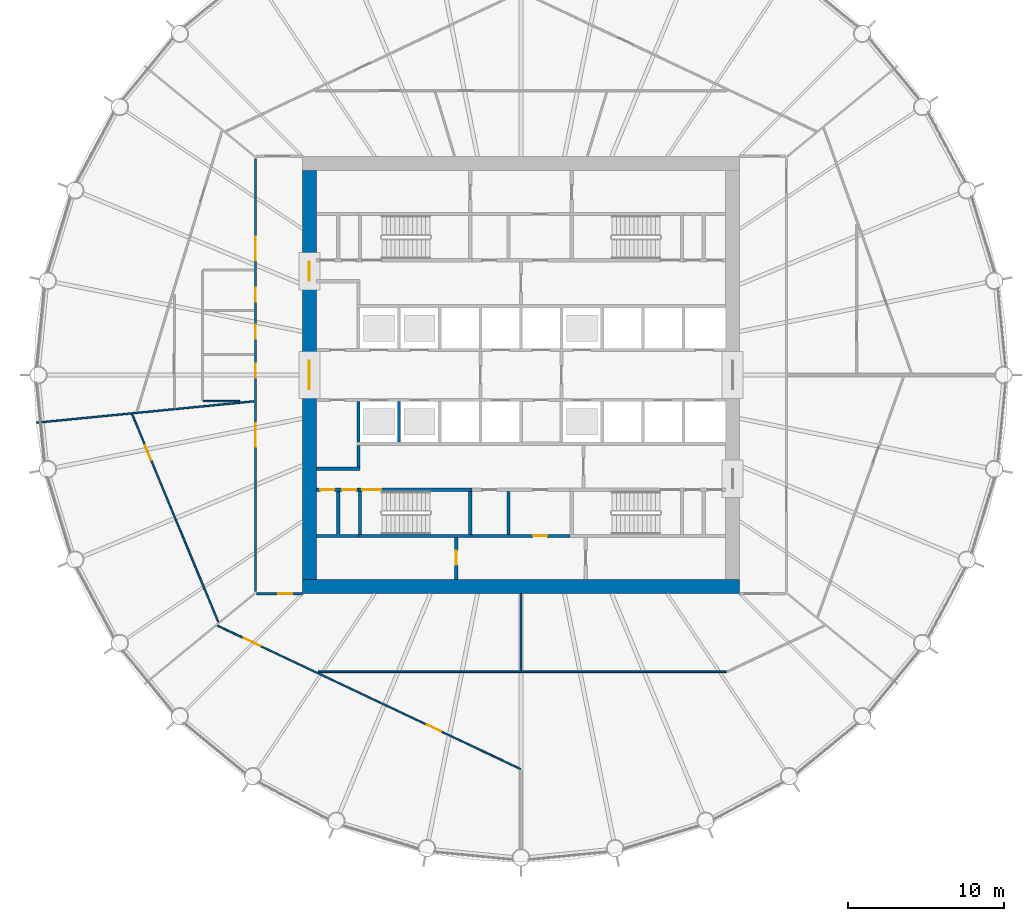
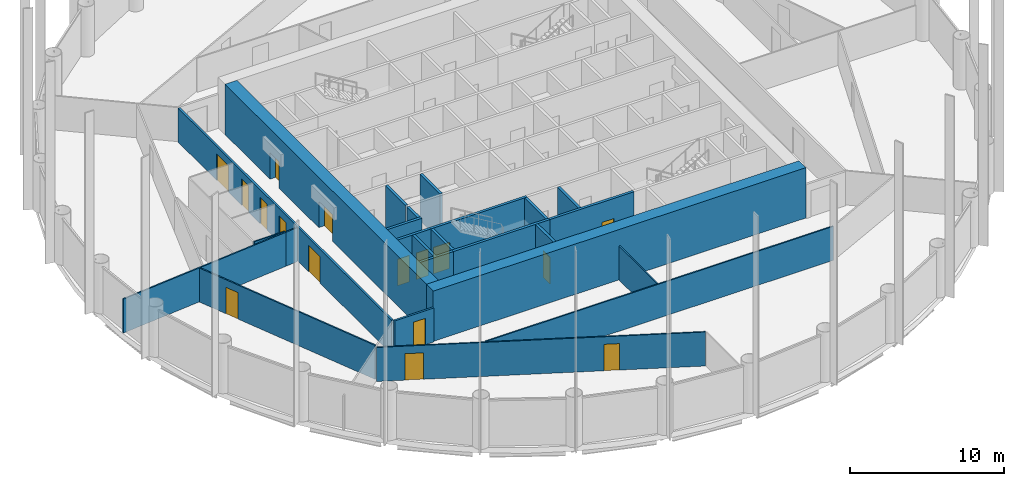
# One storey, part 4 of 10: 24 walls, 16 doors, 16 openings.
"""IFC4 building model written with IfcOpenShell, lengths in metres."""

from ifc_helpers import new_model, si_unit, direction, frame, frame_2d, origin, place, context, subcontext, project, spatial, polyline, rectangle, outline, extrude, material, layer, layer_set, type_object, element, fill, save


model = new_model("IFC4")

# Units and contexts
model_context = context("Model", 3, precision=1e-05, world=origin(), true_north=direction((0.0, 1.0)))
body_context = subcontext(model_context, "Body", "Model", "MODEL_VIEW")
ifc_project = project(units=[si_unit("LENGTHUNIT", "METRE"), si_unit("AREAUNIT", "SQUARE_METRE"), si_unit("VOLUMEUNIT", "CUBIC_METRE"), si_unit("PLANEANGLEUNIT", "RADIAN"), si_unit("MASSUNIT", "GRAM", prefix="KILO")], contexts=[model_context])

# Site, building, storey
site_placement = place(None, origin())
site = spatial("IfcSite", under=ifc_project, at=site_placement, CompositionType="ELEMENT")
building_placement = place(site_placement, origin())
building = spatial("IfcBuilding", under=site, at=building_placement, Name="Corvane Civic Tower", CompositionType="ELEMENT")
storey_placement = place(building_placement, frame((0.0, 0.0, 144.0)))
storey = spatial("IfcBuildingStorey", under=building, at=storey_placement, Name="L33", CompositionType="ELEMENT", Elevation=144.0)

# Wall
ifc_material_1 = material(Name="Concrete C60/75", Category="concrete")
ifc_layer_1 = layer(ifc_material_1, 0.89990234375)
ifc_layer_set_1 = layer_set([ifc_layer_1], Name="Concrete C60/75")
wall_type_1 = type_object("IfcWallType", Name="CORE WALL 900 C60/75", PredefinedType="SHEAR", material=ifc_layer_set_1)
wall_1_placement = place(storey_placement, frame((-14.0, -13.550048828125, 0.0), z_axis=(0.0, 0.0, 1.0), x_axis=(1.0, 0.0, 0.0)))
element("IfcWall", 1, at=wall_1_placement, inside=storey, type_object=wall_type_1, Name="W-L33-core-S", PredefinedType="SHEAR", context=body_context, shape_type="SweptSolid", body=[
    extrude(rectangle(XDim=28.0, YDim=0.89990234375, at=frame_2d((14.0, 0.0))), origin(), (0.0, 0.0, 1.0), 4.0),
])

# Wall, openings, doors
wall_2_placement = place(storey_placement, frame((-13.550048828125, -13.10009765625, 0.0), z_axis=(0.0, 0.0, 1.0), x_axis=(0.0, 1.0, 0.0)))
wall_2 = element("IfcWall", 2, at=wall_2_placement, inside=storey, type_object=wall_type_1, Name="W-L33-core-W", PredefinedType="SHEAR", context=body_context, shape_type="SweptSolid", body=[
    extrude(rectangle(XDim=26.2001953125, YDim=0.89990234375, at=frame_2d((13.10009765625, 0.0))), origin(), (0.0, 0.0, 1.0), 4.0),
])
opening_1_placement = place(wall_2_placement, frame((12.199951171875, 0.0, 0.0)))
opening_1 = element("IfcOpeningElement", 3, at=opening_1_placement, cuts=wall_2, Name="Opening L33.C30", PredefinedType="OPENING", context=body_context, shape_type="SweptSolid", body=[
    extrude(rectangle(XDim=1.800048828125, YDim=2.10009765625, at=frame_2d((0.89990234375, 1.050048828125))), frame((0.0, 0.4599609375, 0.0), z_axis=(0.0, -1.0, 0.0), x_axis=(1.0, 0.0, 0.0)), (0.0, 0.0, 1.0), 0.919921875),
])
opening_2_placement = place(wall_2_placement, frame((19.14990234375, 0.0, 0.0)))
opening_2 = element("IfcOpeningElement", 4, at=opening_2_placement, cuts=wall_2, Name="Opening L33.C32", PredefinedType="OPENING", context=body_context, shape_type="SweptSolid", body=[
    extrude(rectangle(XDim=1.199951171875, YDim=2.10009765625, at=frame_2d((0.60009765625, 1.050048828125))), frame((0.0, 0.4599609375, 0.0), z_axis=(0.0, -1.0, 0.0), x_axis=(1.0, 0.0, 0.0)), (0.0, 0.0, 1.0), 0.919921875),
])
ifc_material_2 = material(Name="Steel fire door leaf", Category="steel")
door_type_1 = type_object("IfcDoorType", Name="CR-DOOR-CORE-1800", OperationType="DOUBLE_DOOR_SINGLE_SWING", PredefinedType="DOOR", material=ifc_material_2)
door_1_placement = place(opening_1_placement, origin())
door_1 = element("IfcDoor", 5, at=door_1_placement, inside=storey, type_object=door_type_1, Name="L33 door", OperationType="DOUBLE_DOOR_SINGLE_SWING", OverallHeight=2.10009765625, OverallWidth=1.800048828125, PredefinedType="DOOR", context=body_context, shape_type="SweptSolid", body=[
    extrude(rectangle(XDim=1.800048828125, YDim=2.10009765625, at=frame_2d((0.89990234375, 1.050048828125))), frame((0.0, 0.02490234375, 0.0), z_axis=(0.0, -1.0, 0.0), x_axis=(1.0, 0.0, 0.0)), (0.0, 0.0, 1.0), 0.050048828125),
])
fill(opening_1, door_1)
door_2_placement = place(opening_2_placement, origin())
door_2 = element("IfcDoor", 6, at=door_2_placement, inside=storey, type_object=door_type_1, Name="L33 door", OperationType="DOUBLE_DOOR_SINGLE_SWING", OverallHeight=2.10009765625, OverallWidth=1.199951171875, PredefinedType="DOOR", context=body_context, shape_type="SweptSolid", body=[
    extrude(rectangle(XDim=1.199951171875, YDim=2.10009765625, at=frame_2d((0.60009765625, 1.050048828125))), frame((0.0, 0.02490234375, 0.0), z_axis=(0.0, -1.0, 0.0), x_axis=(1.0, 0.0, 0.0)), (0.0, 0.0, 1.0), 0.050048828125),
])
fill(opening_2, door_2)

# Wall, opening, door
ifc_material_3 = material(Name="Concrete C30/37", Category="concrete")
ifc_layer_2 = layer(ifc_material_3, 0.199951171875)
ifc_layer_set_2 = layer_set([ifc_layer_2], Name="Concrete C30/37")
wall_type_2 = type_object("IfcWallType", Name="CR-WALL-200", PredefinedType="PARTITIONING", material=ifc_layer_set_2)
wall_3_placement = place(storey_placement, frame((-3.14990234375, -10.300048828125, 0.0), z_axis=(0.0, 0.0, 1.0), x_axis=(1.0, 0.0, 0.0)))
wall_3 = element("IfcWall", 7, at=wall_3_placement, inside=storey, type_object=wall_type_2, Name="L33 partition wall", PredefinedType="PARTITIONING", context=body_context, shape_type="SweptSolid", body=[
    extrude(rectangle(XDim=6.2998046875, YDim=0.199951171875, at=frame_2d((3.14990234375, 0.0))), origin(), (0.0, 0.0, 1.0), 3.699951171875),
])
opening_3_placement = place(wall_3_placement, frame((3.925048828125, 0.0, 0.0)))
opening_3 = element("IfcOpeningElement", 8, at=opening_3_placement, cuts=wall_3, Name="Opening L33.C12", PredefinedType="OPENING", context=body_context, shape_type="SweptSolid", body=[
    extrude(rectangle(XDim=0.89990234375, YDim=2.10009765625, at=frame_2d((0.449951171875, 1.050048828125))), frame((0.0, 0.10986328125, 0.0), z_axis=(0.0, -1.0, 0.0), x_axis=(1.0, 0.0, 0.0)), (0.0, 0.0, 1.0), 0.219970703125),
])
ifc_material_4 = material(Name="Steel fire door leaf", Category="steel")
door_type_2 = type_object("IfcDoorType", Name="CR-DOOR-900", OperationType="SINGLE_SWING_LEFT", PredefinedType="DOOR", material=ifc_material_4)
door_3_placement = place(opening_3_placement, origin())
door_3 = element("IfcDoor", 9, at=door_3_placement, inside=storey, type_object=door_type_2, Name="L33 door", OperationType="SINGLE_SWING_LEFT", OverallHeight=2.10009765625, OverallWidth=0.89990234375, PredefinedType="DOOR", context=body_context, shape_type="SweptSolid", body=[
    extrude(rectangle(XDim=0.89990234375, YDim=2.10009765625, at=frame_2d((0.449951171875, 1.050048828125))), frame((0.0, 0.02490234375, 0.0), z_axis=(0.0, -1.0, 0.0), x_axis=(1.0, 0.0, 0.0)), (0.0, 0.0, 1.0), 0.050048828125),
])
fill(opening_3, door_3)

# Wall, openings, doors
wall_4_placement = place(storey_placement, frame((-13.10009765625, -7.35009765625, 0.0), z_axis=(0.0, 0.0, 1.0), x_axis=(1.0, 0.0, 0.0)))
wall_4 = element("IfcWall", 10, at=wall_4_placement, inside=storey, type_object=wall_type_2, Name="L33 core partition wall", PredefinedType="PARTITIONING", context=body_context, shape_type="SweptSolid", body=[
    extrude(rectangle(XDim=2.7001953125, YDim=0.199951171875, at=frame_2d((1.35009765625, 0.0))), origin(), (0.0, 0.0, 1.0), 3.699951171875),
])
opening_4_placement = place(wall_4_placement, frame((0.25, 0.0, 0.0)))
opening_4 = element("IfcOpeningElement", 11, at=opening_4_placement, cuts=wall_4, Name="Opening L33.C16", PredefinedType="OPENING", context=body_context, shape_type="SweptSolid", body=[
    extrude(rectangle(XDim=0.89990234375, YDim=2.10009765625, at=frame_2d((0.449951171875, 1.050048828125))), frame((0.0, 0.10986328125, 0.0), z_axis=(0.0, -1.0, 0.0), x_axis=(1.0, 0.0, 0.0)), (0.0, 0.0, 1.0), 0.219970703125),
])
opening_5_placement = place(wall_4_placement, frame((1.64990234375, 0.0, 0.0)))
opening_5 = element("IfcOpeningElement", 12, at=opening_5_placement, cuts=wall_4, Name="Opening L33.C17", PredefinedType="OPENING", context=body_context, shape_type="SweptSolid", body=[
    extrude(rectangle(XDim=0.89990234375, YDim=2.10009765625, at=frame_2d((0.449951171875, 1.050048828125))), frame((0.0, 0.10986328125, 0.0), z_axis=(0.0, -1.0, 0.0), x_axis=(1.0, 0.0, 0.0)), (0.0, 0.0, 1.0), 0.219970703125),
])
door_4_placement = place(opening_4_placement, origin())
door_4 = element("IfcDoor", 13, at=door_4_placement, inside=storey, type_object=door_type_2, Name="L33 door", OperationType="SINGLE_SWING_LEFT", OverallHeight=2.10009765625, OverallWidth=0.89990234375, PredefinedType="DOOR", context=body_context, shape_type="SweptSolid", body=[
    extrude(rectangle(XDim=0.89990234375, YDim=2.10009765625, at=frame_2d((0.449951171875, 1.050048828125))), frame((0.0, 0.02490234375, 0.0), z_axis=(0.0, -1.0, 0.0), x_axis=(1.0, 0.0, 0.0)), (0.0, 0.0, 1.0), 0.050048828125),
])
fill(opening_4, door_4)
door_5_placement = place(opening_5_placement, origin())
door_5 = element("IfcDoor", 14, at=door_5_placement, inside=storey, type_object=door_type_2, Name="L33 door", OperationType="SINGLE_SWING_LEFT", OverallHeight=2.10009765625, OverallWidth=0.89990234375, PredefinedType="DOOR", context=body_context, shape_type="SweptSolid", body=[
    extrude(rectangle(XDim=0.89990234375, YDim=2.10009765625, at=frame_2d((0.449951171875, 1.050048828125))), frame((0.0, 0.02490234375, 0.0), z_axis=(0.0, -1.0, 0.0), x_axis=(1.0, 0.0, 0.0)), (0.0, 0.0, 1.0), 0.050048828125),
])
fill(opening_5, door_5)

# Wall, opening, door
wall_5_placement = place(storey_placement, frame((-4.14990234375, -13.10009765625, 0.0), z_axis=(0.0, 0.0, 1.0), x_axis=(0.0, 1.0, 0.0)))
wall_5 = element("IfcWall", 15, at=wall_5_placement, inside=storey, type_object=wall_type_2, Name="L33 partition wall", PredefinedType="PARTITIONING", context=body_context, shape_type="SweptSolid", body=[
    extrude(rectangle(XDim=2.7001953125, YDim=0.199951171875, at=frame_2d((1.35009765625, 0.0))), origin(), (0.0, 0.0, 1.0), 3.699951171875),
])
opening_6_placement = place(wall_5_placement, frame((0.949951171875, 0.0, 0.0)))
opening_6 = element("IfcOpeningElement", 16, at=opening_6_placement, cuts=wall_5, Name="Opening L33.C11", PredefinedType="OPENING", context=body_context, shape_type="SweptSolid", body=[
    extrude(rectangle(XDim=0.89990234375, YDim=2.10009765625, at=frame_2d((0.449951171875, 1.050048828125))), frame((0.0, 0.10986328125, 0.0), z_axis=(0.0, -1.0, 0.0), x_axis=(1.0, 0.0, 0.0)), (0.0, 0.0, 1.0), 0.219970703125),
])
door_6_placement = place(opening_6_placement, origin())
door_6 = element("IfcDoor", 17, at=door_6_placement, inside=storey, type_object=door_type_2, Name="L33 door", OperationType="SINGLE_SWING_LEFT", OverallHeight=2.10009765625, OverallWidth=0.89990234375, PredefinedType="DOOR", context=body_context, shape_type="SweptSolid", body=[
    extrude(rectangle(XDim=0.89990234375, YDim=2.10009765625, at=frame_2d((0.449951171875, 1.050048828125))), frame((0.0, 0.02490234375, 0.0), z_axis=(0.0, -1.0, 0.0), x_axis=(1.0, 0.0, 0.0)), (0.0, 0.0, 1.0), 0.050048828125),
])
fill(opening_6, door_6)

# Walls
wall_6_placement = place(storey_placement, origin())
element("IfcWall", 18, at=wall_6_placement, inside=storey, type_object=wall_type_2, Name="L33 core partition wall", PredefinedType="PARTITIONING", context=body_context, shape_type="SweptSolid", body=[
    extrude(outline(polyline([(-10.300048828125, -6.10009765625), (-13.10009765625, -6.10009765625), (-13.10009765625, -5.89990234375), (-10.300048828125, -5.89990234375), (-10.300048828125, -6.10009765625)])), origin(), (0.0, 0.0, 1.0), 3.699951171875),
])
wall_7_placement = place(storey_placement, origin())
element("IfcWall", 19, at=wall_7_placement, inside=storey, type_object=wall_type_2, Name="L33 core partition wall", PredefinedType="PARTITIONING", context=body_context, shape_type="SweptSolid", body=[
    extrude(outline(polyline([(-10.300048828125, -1.699951171875), (-10.300048828125, -4.2998046875), (-10.5, -4.2998046875), (-10.5, -1.699951171875), (-10.300048828125, -1.699951171875)])), origin(), (0.0, 0.0, 1.0), 3.699951171875),
])
wall_8_placement = place(storey_placement, origin())
element("IfcWall", 20, at=wall_8_placement, inside=storey, type_object=wall_type_2, Name="L33 core partition wall", PredefinedType="PARTITIONING", context=body_context, shape_type="SweptSolid", body=[
    extrude(outline(polyline([(-7.699951171875, -1.699951171875), (-7.699951171875, -4.2998046875), (-7.89990234375, -4.2998046875), (-7.89990234375, -1.699951171875), (-7.699951171875, -1.699951171875)])), origin(), (0.0, 0.0, 1.0), 3.699951171875),
])
wall_9_placement = place(storey_placement, origin())
element("IfcWall", 21, at=wall_9_placement, inside=storey, type_object=wall_type_2, Name="L33 core partition wall", PredefinedType="PARTITIONING", context=body_context, shape_type="SweptSolid", body=[
    extrude(outline(polyline([(-10.300048828125, -5.89990234375), (-10.5, -5.89990234375), (-10.5, -4.5), (-10.300048828125, -4.5), (-10.300048828125, -5.89990234375)])), origin(), (0.0, 0.0, 1.0), 3.699951171875),
])
wall_10_placement = place(storey_placement, origin())
element("IfcWall", 22, at=wall_10_placement, inside=storey, type_object=wall_type_2, Name="L33 core partition wall", PredefinedType="PARTITIONING", context=body_context, shape_type="SweptSolid", body=[
    extrude(outline(polyline([(-11.800048828125, -7.449951171875), (-11.60009765625, -7.449951171875), (-11.60009765625, -10.199951171875), (-10.39990234375, -10.199951171875), (-10.39990234375, -10.39990234375), (-13.10009765625, -10.39990234375), (-13.10009765625, -10.199951171875), (-11.800048828125, -10.199951171875), (-11.800048828125, -7.449951171875)])), origin(), (0.0, 0.0, 1.0), 3.699951171875),
])
wall_11_placement = place(storey_placement, origin())
element("IfcWall", 23, at=wall_11_placement, inside=storey, type_object=wall_type_2, Name="L33 core partition wall", PredefinedType="PARTITIONING", context=body_context, shape_type="SweptSolid", body=[
    extrude(outline(polyline([(-0.699951171875, -10.199951171875), (-0.89990234375, -10.199951171875), (-0.89990234375, -7.449951171875), (-0.699951171875, -7.449951171875), (-0.699951171875, -10.199951171875)])), origin(), (0.0, 0.0, 1.0), 3.699951171875),
])

# Wall, openings, doors
ifc_material_5 = material(Name="Plasterboard")
ifc_layer_3 = layer(ifc_material_5, 0.10009765625)
ifc_layer_set_3 = layer_set([ifc_layer_3], Name="Plasterboard")
wall_type_3 = type_object("IfcWallType", Name="Partition 100 plasterboard on studs", PredefinedType="PARTITIONING", material=ifc_layer_set_3)
wall_12_placement = place(storey_placement, frame((-19.44189453125, -16.0478515625, 0.0), z_axis=(0.0, 0.0, 1.0), x_axis=(0.90399254503, -0.427548217784, 0.0)))
wall_12 = element("IfcWall", 24, at=wall_12_placement, inside=storey, type_object=wall_type_3, Name="Partition L33.002", PredefinedType="PARTITIONING", context=body_context, shape_type="SweptSolid", body=[
    extrude(rectangle(XDim=21.47509765625, YDim=0.10009765625, at=frame_2d((10.737548828125, 0.0))), origin(), (0.0, 0.0, 1.0), 2.699951171875),
])
opening_7_placement = place(wall_12_placement, frame((14.845703125, 0.0, 0.0)))
opening_7 = element("IfcOpeningElement", 25, at=opening_7_placement, cuts=wall_12, Name="Opening L33.007", PredefinedType="OPENING", context=body_context, shape_type="SweptSolid", body=[
    extrude(rectangle(XDim=1.0, YDim=2.10009765625, at=frame_2d((0.5, 1.050048828125))), frame((0.0, 0.06005859375, 0.0), z_axis=(0.0, -1.0, 0.0), x_axis=(1.0, 0.0, 0.0)), (0.0, 0.0, 1.0), 0.1201171875),
])
opening_8_placement = place(wall_12_placement, frame((1.8642578125, 0.0, 0.0)))
opening_8 = element("IfcOpeningElement", 26, at=opening_8_placement, cuts=wall_12, Name="Opening L33.008", PredefinedType="OPENING", context=body_context, shape_type="SweptSolid", body=[
    extrude(rectangle(XDim=1.199951171875, YDim=2.10009765625, at=frame_2d((0.60009765625, 1.050048828125))), frame((0.0, 0.06005859375, 0.0), z_axis=(0.0, -1.0, 0.0), x_axis=(1.0, 0.0, 0.0)), (0.0, 0.0, 1.0), 0.1201171875),
])
ifc_material_6 = material(Name="Timber", Category="wood")
door_type_3 = type_object("IfcDoorType", Name="Double door 1200", OperationType="NOTDEFINED", PredefinedType="DOOR", material=ifc_material_6)
door_7_placement = place(opening_8_placement, frame((1.199951171875, 0.0, 0.0), z_axis=(0.0, 0.0, 1.0), x_axis=(-1.0, 0.0, 0.0)))
door_7 = element("IfcDoor", 27, at=door_7_placement, inside=storey, type_object=door_type_3, Name="Door L33.008", OperationType="DOUBLE_DOOR_SINGLE_SWING", OverallHeight=2.10009765625, OverallWidth=1.199951171875, PredefinedType="DOOR", context=body_context, shape_type="SweptSolid", body=[
    extrude(rectangle(XDim=1.199951171875, YDim=2.10009765625, at=frame_2d((0.60009765625, 1.050048828125))), frame((0.0, 0.02490234375, 0.0), z_axis=(0.0, -1.0, 0.0), x_axis=(1.0, 0.0, 0.0)), (0.0, 0.0, 1.0), 0.050048828125),
])
fill(opening_8, door_7)
ifc_material_7 = material(Name="Timber", Category="wood")
door_type_4 = type_object("IfcDoorType", Name="Single door 1000", OperationType="NOTDEFINED", PredefinedType="DOOR", material=ifc_material_7)
door_8_placement = place(opening_7_placement, origin())
door_8 = element("IfcDoor", 28, at=door_8_placement, inside=storey, type_object=door_type_4, Name="Door L33.007", OperationType="SINGLE_SWING_RIGHT", OverallHeight=2.10009765625, OverallWidth=1.0, PredefinedType="DOOR", context=body_context, shape_type="SweptSolid", body=[
    extrude(rectangle(XDim=1.0, YDim=2.10009765625, at=frame_2d((0.5, 1.050048828125))), frame((0.0, 0.02490234375, 0.0), z_axis=(0.0, -1.0, 0.0), x_axis=(1.0, 0.0, 0.0)), (0.0, 0.0, 1.0), 0.050048828125),
])
fill(opening_7, door_8)

# Walls
wall_13_placement = place(storey_placement, frame((-12.977294921875, -19.0, 0.0), z_axis=(0.0, 0.0, 1.0), x_axis=(1.0, 0.0, 0.0)))
element("IfcWall", 29, at=wall_13_placement, inside=storey, type_object=wall_type_3, Name="Partition L33.005", PredefinedType="PARTITIONING", context=body_context, shape_type="SweptSolid", body=[
    extrude(rectangle(XDim=26.12646484375, YDim=0.10009765625, at=frame_2d((13.063232421875, 0.0))), origin(), (0.0, 0.0, 1.0), 2.699951171875),
])
wall_14_placement = place(storey_placement, frame((0.0, -18.949951171875, 0.0), z_axis=(0.0, 0.0, 1.0), x_axis=(0.0, 1.0, 0.0)))
element("IfcWall", 30, at=wall_14_placement, inside=storey, type_object=wall_type_3, Name="Partition L33.007", PredefinedType="PARTITIONING", context=body_context, shape_type="SweptSolid", body=[
    extrude(rectangle(XDim=4.949951171875, YDim=0.10009765625, at=frame_2d((2.47509765625, 0.0))), origin(), (0.0, 0.0, 1.0), 2.699951171875),
])

# Wall, opening, door
wall_15_placement = place(storey_placement, frame((-24.896484375, -2.516845703125, 0.0), z_axis=(0.0, 0.0, 1.0), x_axis=(0.382678121932, -0.923881732147, 0.0)))
wall_15 = element("IfcWall", 31, at=wall_15_placement, inside=storey, type_object=wall_type_3, Name="Partition L33.008", PredefinedType="PARTITIONING", context=body_context, shape_type="SweptSolid", body=[
    extrude(rectangle(XDim=14.404296875, YDim=0.10009765625, at=frame_2d((7.2021484375, 0.0))), origin(), (0.0, 0.0, 1.0), 2.699951171875),
])
opening_9_placement = place(wall_15_placement, frame((2.160400390625, 0.0, 0.0)))
opening_9 = element("IfcOpeningElement", 32, at=opening_9_placement, cuts=wall_15, Name="Opening L33.016", PredefinedType="OPENING", context=body_context, shape_type="SweptSolid", body=[
    extrude(rectangle(XDim=1.0, YDim=2.10009765625, at=frame_2d((0.5, 1.050048828125))), frame((0.0, 0.06005859375, 0.0), z_axis=(0.0, -1.0, 0.0), x_axis=(1.0, 0.0, 0.0)), (0.0, 0.0, 1.0), 0.1201171875),
])
door_9_placement = place(opening_9_placement, frame((1.0, 0.0, 0.0), z_axis=(0.0, 0.0, 1.0), x_axis=(-1.0, 0.0, 0.0)))
door_9 = element("IfcDoor", 33, at=door_9_placement, inside=storey, type_object=door_type_4, Name="Door L33.016", OperationType="SINGLE_SWING_RIGHT", OverallHeight=2.10009765625, OverallWidth=1.0, PredefinedType="DOOR", context=body_context, shape_type="SweptSolid", body=[
    extrude(rectangle(XDim=1.0, YDim=2.10009765625, at=frame_2d((0.5, 1.050048828125))), frame((0.0, 0.02490234375, 0.0), z_axis=(0.0, -1.0, 0.0), x_axis=(1.0, 0.0, 0.0)), (0.0, 0.0, 1.0), 0.050048828125),
])
fill(opening_9, door_9)

# Walls
wall_16_placement = place(storey_placement, frame((-31.000244140625, -3.05322265625, 0.0), z_axis=(0.0, 0.0, 1.0), x_axis=(0.995185293796, 0.098011382053, 0.0)))
element("IfcWall", 34, at=wall_16_placement, inside=storey, type_object=wall_type_3, Name="Partition L33.014", PredefinedType="PARTITIONING", context=body_context, shape_type="SweptSolid", body=[
    extrude(rectangle(XDim=13.0400390625, YDim=0.10009765625, at=frame_2d((6.52001953125, 0.0))), origin(), (0.0, 0.0, 1.0), 2.699951171875),
])
wall_17_placement = place(storey_placement, frame((-20.35009765625, -1.67431640625, 0.0), z_axis=(0.0, 0.0, 1.0), x_axis=(1.0, 0.0, 0.0)))
element("IfcWall", 35, at=wall_17_placement, inside=storey, type_object=wall_type_3, Name="Partition L33.017", PredefinedType="PARTITIONING", context=body_context, shape_type="SweptSolid", body=[
    extrude(rectangle(XDim=2.33203125, YDim=0.10009765625, at=frame_2d((1.166015625, 0.0))), origin(), (0.0, 0.0, 1.0), 2.699951171875),
])
wall_18_placement = place(storey_placement, frame((-18.02294921875, -1.775146484375, 0.0), z_axis=(0.0, 0.0, 1.0), x_axis=(0.995192281224, 0.097940407348, 0.0)))
element("IfcWall", 36, at=wall_18_placement, inside=storey, type_object=wall_type_3, Name="Partition L33.036", PredefinedType="PARTITIONING", context=body_context, shape_type="SweptSolid", body=[
    extrude(rectangle(XDim=0.912353515625, YDim=0.10009765625, at=frame_2d((0.4560546875, 0.0))), origin(), (0.0, 0.0, 1.0), 2.699951171875),
])

# Wall, opening, door
ifc_material_8 = material(Name="Concrete C50/60", Category="concrete")
ifc_layer_4 = layer(ifc_material_8, 0.199951171875)
ifc_layer_set_4 = layer_set([ifc_layer_4], Name="Concrete C50/60")
wall_type_4 = type_object("IfcWallType", Name="ST-WALL-200", PredefinedType="SHEAR", material=ifc_layer_set_4)
wall_19_placement = place(storey_placement, frame((-10.39990234375, -7.35009765625, 0.0), z_axis=(0.0, 0.0, 1.0), x_axis=(1.0, 0.0, 0.0)))
wall_19 = element("IfcWall", 37, at=wall_19_placement, inside=storey, type_object=wall_type_4, Name="L33 stair enclosure wall", PredefinedType="SHEAR", context=body_context, shape_type="SweptSolid", body=[
    extrude(rectangle(XDim=7.25, YDim=0.199951171875, at=frame_2d((3.625, 0.0))), origin(), (0.0, 0.0, 1.0), 3.699951171875),
])
opening_10_placement = place(wall_19_placement, frame((0.25, 0.0, 0.0)))
opening_10 = element("IfcOpeningElement", 38, at=opening_10_placement, cuts=wall_19, Name="Opening L33.C25", PredefinedType="OPENING", context=body_context, shape_type="SweptSolid", body=[
    extrude(rectangle(XDim=1.199951171875, YDim=2.10009765625, at=frame_2d((0.60009765625, 1.050048828125))), frame((0.0, 0.10986328125, 0.0), z_axis=(0.0, -1.0, 0.0), x_axis=(1.0, 0.0, 0.0)), (0.0, 0.0, 1.0), 0.219970703125),
])
ifc_material_9 = material(Name="Steel fire door leaf", Category="steel")
door_type_5 = type_object("IfcDoorType", Name="ST-DOOR-1200", OperationType="SINGLE_SWING_RIGHT", PredefinedType="DOOR", material=ifc_material_9)
door_10_placement = place(opening_10_placement, origin())
door_10 = element("IfcDoor", 39, at=door_10_placement, inside=storey, type_object=door_type_5, Name="L33 stair door", OperationType="SINGLE_SWING_RIGHT", OverallHeight=2.10009765625, OverallWidth=1.199951171875, PredefinedType="DOOR", context=body_context, shape_type="SweptSolid", body=[
    extrude(rectangle(XDim=1.199951171875, YDim=2.10009765625, at=frame_2d((0.60009765625, 1.050048828125))), frame((0.0, 0.02490234375, 0.0), z_axis=(0.0, -1.0, 0.0), x_axis=(1.0, 0.0, 0.0)), (0.0, 0.0, 1.0), 0.050048828125),
])
fill(opening_10, door_10)

# Walls
wall_20_placement = place(storey_placement, origin())
element("IfcWall", 40, at=wall_20_placement, inside=storey, type_object=wall_type_4, Name="L33 stair enclosure wall", PredefinedType="SHEAR", context=body_context, shape_type="SweptSolid", body=[
    extrude(outline(polyline([(-3.14990234375, -10.199951171875), (-3.14990234375, -10.39990234375), (-10.39990234375, -10.39990234375), (-10.39990234375, -10.199951171875), (-3.14990234375, -10.199951171875)])), origin(), (0.0, 0.0, 1.0), 3.699951171875),
])
wall_21_placement = place(storey_placement, origin())
element("IfcWall", 41, at=wall_21_placement, inside=storey, type_object=wall_type_4, Name="L33 stair enclosure wall", PredefinedType="SHEAR", context=body_context, shape_type="SweptSolid", body=[
    extrude(outline(polyline([(-3.14990234375, -7.449951171875), (-3.14990234375, -10.199951171875), (-3.35009765625, -10.199951171875), (-3.35009765625, -7.449951171875), (-3.14990234375, -7.449951171875)])), origin(), (0.0, 0.0, 1.0), 3.699951171875),
])
wall_22_placement = place(storey_placement, origin())
element("IfcWall", 42, at=wall_22_placement, inside=storey, type_object=wall_type_4, Name="L33 stair enclosure wall", PredefinedType="SHEAR", context=body_context, shape_type="SweptSolid", body=[
    extrude(outline(polyline([(-10.199951171875, -7.449951171875), (-10.199951171875, -10.199951171875), (-10.39990234375, -10.199951171875), (-10.39990234375, -7.449951171875), (-10.199951171875, -7.449951171875)])), origin(), (0.0, 0.0, 1.0), 3.699951171875),
])

# Wall, opening, door
ifc_material_10 = material(Name="Plasterboard")
ifc_layer_5 = layer(ifc_material_10, 0.14990234375)
ifc_layer_set_5 = layer_set([ifc_layer_5], Name="Plasterboard")
wall_type_5 = type_object("IfcWallType", Name="Tenancy wall 150 EI 60", PredefinedType="PARTITIONING", material=ifc_layer_set_5)
wall_23_placement = place(storey_placement, frame((-16.925048828125, -14.0, 0.0), z_axis=(0.0, 0.0, 1.0), x_axis=(1.0, 0.0, 0.0)))
wall_23 = element("IfcWall", 43, at=wall_23_placement, inside=storey, type_object=wall_type_5, Name="Partition L33.010", PredefinedType="PARTITIONING", context=body_context, shape_type="SweptSolid", body=[
    extrude(rectangle(XDim=2.93505859375, YDim=0.14990234375, at=frame_2d((1.467529296875, 0.0))), origin(), (0.0, 0.0, 1.0), 2.699951171875),
])
opening_11_placement = place(wall_23_placement, frame((1.387451171875, 0.0, 0.0)))
opening_11 = element("IfcOpeningElement", 44, at=opening_11_placement, cuts=wall_23, Name="Opening L33.010", PredefinedType="OPENING", context=body_context, shape_type="SweptSolid", body=[
    extrude(rectangle(XDim=0.89990234375, YDim=2.10009765625, at=frame_2d((0.449951171875, 1.050048828125))), frame((0.0, 0.0849609375, 0.0), z_axis=(0.0, -1.0, 0.0), x_axis=(1.0, 0.0, 0.0)), (0.0, 0.0, 1.0), 0.169921875),
])
ifc_material_11 = material(Name="Steel and timber", Category="steel")
door_type_6 = type_object("IfcDoorType", Name="Fire door FD30S 900", OperationType="NOTDEFINED", PredefinedType="DOOR", material=ifc_material_11)
door_11_placement = place(opening_11_placement, frame((0.89990234375, 0.0, 0.0), z_axis=(0.0, 0.0, 1.0), x_axis=(-1.0, 0.0, 0.0)))
door_11 = element("IfcDoor", 45, at=door_11_placement, inside=storey, type_object=door_type_6, Name="Door L33.010", OperationType="SINGLE_SWING_RIGHT", OverallHeight=2.10009765625, OverallWidth=0.89990234375, PredefinedType="DOOR", context=body_context, shape_type="SweptSolid", body=[
    extrude(rectangle(XDim=0.89990234375, YDim=2.10009765625, at=frame_2d((0.449951171875, 1.050048828125))), frame((0.0, 0.02490234375, 0.0), z_axis=(0.0, -1.0, 0.0), x_axis=(1.0, 0.0, 0.0)), (0.0, 0.0, 1.0), 0.050048828125),
])
fill(opening_11, door_11)

# Wall, openings, doors
wall_24_placement = place(storey_placement, frame((-17.0, -13.87646484375, 0.0), z_axis=(0.0, 0.0, 1.0), x_axis=(0.0, 1.0, 0.0)))
wall_24 = element("IfcWall", 46, at=wall_24_placement, inside=storey, type_object=wall_type_5, Name="Partition L33.012", PredefinedType="PARTITIONING", context=body_context, shape_type="SweptSolid", body=[
    extrude(rectangle(XDim=27.7529296875, YDim=0.14990234375, at=frame_2d((13.87646484375, 0.0))), origin(), (0.0, 0.0, 1.0), 2.699951171875),
])
opening_12_placement = place(wall_24_placement, frame((9.281005859375, 0.0, 0.0)))
opening_12 = element("IfcOpeningElement", 47, at=opening_12_placement, cuts=wall_24, Name="Opening L33.017", PredefinedType="OPENING", context=body_context, shape_type="SweptSolid", body=[
    extrude(rectangle(XDim=1.5, YDim=2.10009765625, at=frame_2d((0.75, 1.050048828125))), frame((0.0, 0.0849609375, 0.0), z_axis=(0.0, -1.0, 0.0), x_axis=(1.0, 0.0, 0.0)), (0.0, 0.0, 1.0), 0.169921875),
])
opening_13_placement = place(wall_24_placement, frame((21.227783203125, 0.0, 0.0)))
opening_13 = element("IfcOpeningElement", 48, at=opening_13_placement, cuts=wall_24, Name="Opening L33.020", PredefinedType="OPENING", context=body_context, shape_type="SweptSolid", body=[
    extrude(rectangle(XDim=1.5, YDim=2.10009765625, at=frame_2d((0.75, 1.050048828125))), frame((0.0, 0.0849609375, 0.0), z_axis=(0.0, -1.0, 0.0), x_axis=(1.0, 0.0, 0.0)), (0.0, 0.0, 1.0), 0.169921875),
])
opening_14_placement = place(wall_24_placement, frame((13.698974609375, 0.0, 0.0)))
opening_14 = element("IfcOpeningElement", 49, at=opening_14_placement, cuts=wall_24, Name="Opening L33.021", PredefinedType="OPENING", context=body_context, shape_type="SweptSolid", body=[
    extrude(rectangle(XDim=0.89990234375, YDim=2.10009765625, at=frame_2d((0.449951171875, 1.050048828125))), frame((0.0, 0.0849609375, 0.0), z_axis=(0.0, -1.0, 0.0), x_axis=(1.0, 0.0, 0.0)), (0.0, 0.0, 1.0), 0.169921875),
])
opening_15_placement = place(wall_24_placement, frame((16.1826171875, 0.0, 0.0)))
opening_15 = element("IfcOpeningElement", 50, at=opening_15_placement, cuts=wall_24, Name="Opening L33.022", PredefinedType="OPENING", context=body_context, shape_type="SweptSolid", body=[
    extrude(rectangle(XDim=0.89990234375, YDim=2.10009765625, at=frame_2d((0.449951171875, 1.050048828125))), frame((0.0, 0.0849609375, 0.0), z_axis=(0.0, -1.0, 0.0), x_axis=(1.0, 0.0, 0.0)), (0.0, 0.0, 1.0), 0.169921875),
])
opening_16_placement = place(wall_24_placement, frame((18.574462890625, 0.0, 0.0)))
opening_16 = element("IfcOpeningElement", 51, at=opening_16_placement, cuts=wall_24, Name="Opening L33.023", PredefinedType="OPENING", context=body_context, shape_type="SweptSolid", body=[
    extrude(rectangle(XDim=0.89990234375, YDim=2.10009765625, at=frame_2d((0.449951171875, 1.050048828125))), frame((0.0, 0.0849609375, 0.0), z_axis=(0.0, -1.0, 0.0), x_axis=(1.0, 0.0, 0.0)), (0.0, 0.0, 1.0), 0.169921875),
])
door_12_placement = place(opening_14_placement, origin())
door_12 = element("IfcDoor", 52, at=door_12_placement, inside=storey, type_object=door_type_6, Name="Door L33.021", OperationType="SINGLE_SWING_LEFT", OverallHeight=2.10009765625, OverallWidth=0.89990234375, PredefinedType="DOOR", context=body_context, shape_type="SweptSolid", body=[
    extrude(rectangle(XDim=0.89990234375, YDim=2.10009765625, at=frame_2d((0.449951171875, 1.050048828125))), frame((0.0, 0.02490234375, 0.0), z_axis=(0.0, -1.0, 0.0), x_axis=(1.0, 0.0, 0.0)), (0.0, 0.0, 1.0), 0.050048828125),
])
fill(opening_14, door_12)
door_13_placement = place(opening_15_placement, origin())
door_13 = element("IfcDoor", 53, at=door_13_placement, inside=storey, type_object=door_type_6, Name="Door L33.022", OperationType="SINGLE_SWING_RIGHT", OverallHeight=2.10009765625, OverallWidth=0.89990234375, PredefinedType="DOOR", context=body_context, shape_type="SweptSolid", body=[
    extrude(rectangle(XDim=0.89990234375, YDim=2.10009765625, at=frame_2d((0.449951171875, 1.050048828125))), frame((0.0, 0.02490234375, 0.0), z_axis=(0.0, -1.0, 0.0), x_axis=(1.0, 0.0, 0.0)), (0.0, 0.0, 1.0), 0.050048828125),
])
fill(opening_15, door_13)
door_14_placement = place(opening_16_placement, origin())
door_14 = element("IfcDoor", 54, at=door_14_placement, inside=storey, type_object=door_type_6, Name="Door L33.023", OperationType="SINGLE_SWING_LEFT", OverallHeight=2.10009765625, OverallWidth=0.89990234375, PredefinedType="DOOR", context=body_context, shape_type="SweptSolid", body=[
    extrude(rectangle(XDim=0.89990234375, YDim=2.10009765625, at=frame_2d((0.449951171875, 1.050048828125))), frame((0.0, 0.02490234375, 0.0), z_axis=(0.0, -1.0, 0.0), x_axis=(1.0, 0.0, 0.0)), (0.0, 0.0, 1.0), 0.050048828125),
])
fill(opening_16, door_14)
ifc_material_12 = material(Name="Steel and timber", Category="steel")
door_type_7 = type_object("IfcDoorType", Name="Fire door FD60 double 1500", OperationType="NOTDEFINED", PredefinedType="DOOR", material=ifc_material_12)
door_15_placement = place(opening_12_placement, origin())
door_15 = element("IfcDoor", 55, at=door_15_placement, inside=storey, type_object=door_type_7, Name="Door L33.017", OperationType="DOUBLE_DOOR_SINGLE_SWING", OverallHeight=2.10009765625, OverallWidth=1.5, PredefinedType="DOOR", context=body_context, shape_type="SweptSolid", body=[
    extrude(rectangle(XDim=1.5, YDim=2.10009765625, at=frame_2d((0.75, 1.050048828125))), frame((0.0, 0.02490234375, 0.0), z_axis=(0.0, -1.0, 0.0), x_axis=(1.0, 0.0, 0.0)), (0.0, 0.0, 1.0), 0.050048828125),
])
fill(opening_12, door_15)
door_16_placement = place(opening_13_placement, origin())
door_16 = element("IfcDoor", 56, at=door_16_placement, inside=storey, type_object=door_type_7, Name="Door L33.020", OperationType="DOUBLE_DOOR_SINGLE_SWING", OverallHeight=2.10009765625, OverallWidth=1.5, PredefinedType="DOOR", context=body_context, shape_type="SweptSolid", body=[
    extrude(rectangle(XDim=1.5, YDim=2.10009765625, at=frame_2d((0.75, 1.050048828125))), frame((0.0, 0.02490234375, 0.0), z_axis=(0.0, -1.0, 0.0), x_axis=(1.0, 0.0, 0.0)), (0.0, 0.0, 1.0), 0.050048828125),
])
fill(opening_13, door_16)

save(model, "model.ifc")
